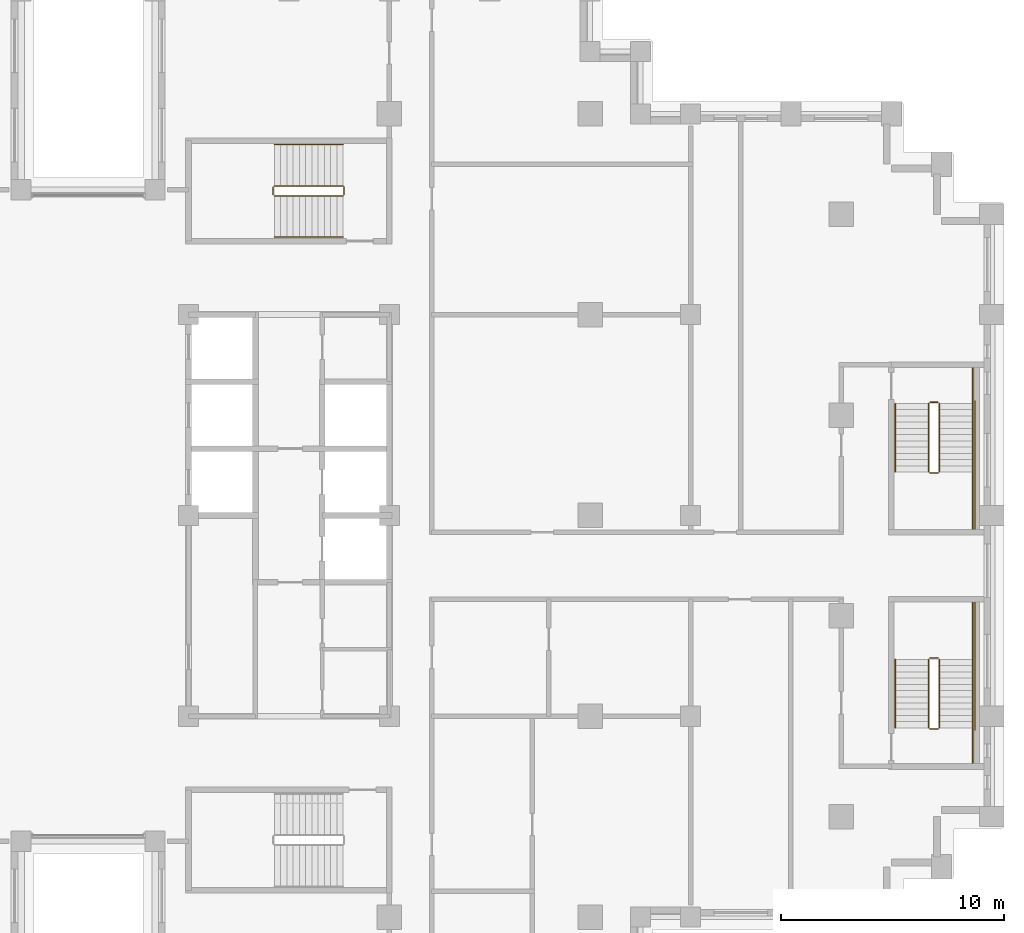
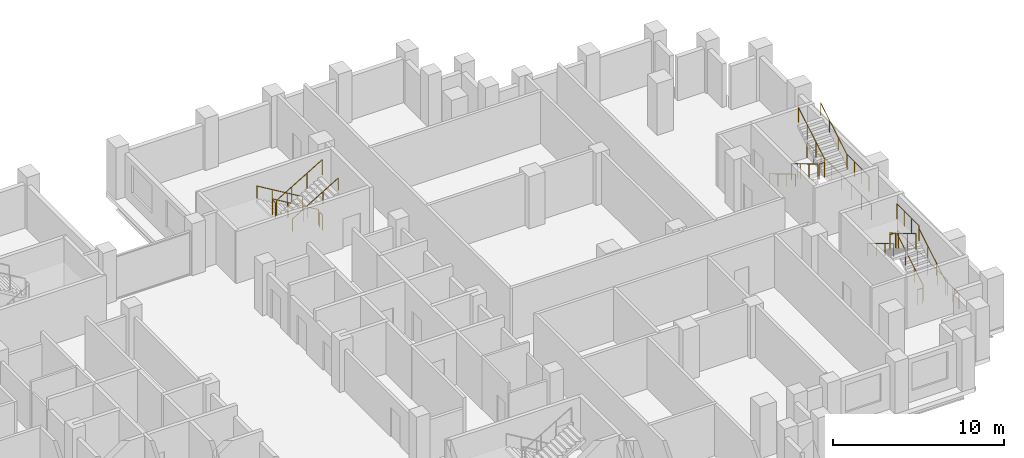
# One storey, part 15 of 15: 3 railings.
"""IFC4 building model written with IfcOpenShell, lengths in metres."""

from ifc_helpers import new_model, si_unit, direction, frame, origin, origin_2d, place, context, subcontext, project, spatial, circle, extrude, material, type_object, element, save


model = new_model("IFC4")

# Units and contexts
model_context = context("Model", 3, precision=1e-05, world=origin(), true_north=direction((0.0, 1.0)))
body_context = subcontext(model_context, "Body", "Model", "MODEL_VIEW")
ifc_project = project(units=[si_unit("LENGTHUNIT", "METRE"), si_unit("AREAUNIT", "SQUARE_METRE"), si_unit("VOLUMEUNIT", "CUBIC_METRE"), si_unit("PLANEANGLEUNIT", "RADIAN"), si_unit("MASSUNIT", "GRAM", prefix="KILO")], contexts=[model_context])

# Site, building, storey
site_placement = place(None, origin())
site = spatial("IfcSite", under=ifc_project, at=site_placement, CompositionType="ELEMENT")
building_placement = place(site_placement, origin())
building = spatial("IfcBuilding", under=site, at=building_placement, Name="Corbelhall Arena Tower", CompositionType="ELEMENT")
storey_placement = place(building_placement, frame((0.0, 0.0, 146.0)))
storey = spatial("IfcBuildingStorey", under=building, at=storey_placement, Name="L28", CompositionType="ELEMENT", Elevation=146.0)

# Railings
ifc_material = material(Name="Steel ASTM A500 Gr C", Category="steel")
railing_type = type_object("IfcRailingType", Name="IN-GD-1100", PredefinedType="GUARDRAIL", material=ifc_material)
railing_1_placement = place(storey_placement, frame((11.425048828125, 14.77490234375, 0.166748046875)))
element("IfcRailing", 1, at=railing_1_placement, inside=storey, type_object=railing_type, Name="L28 ST3 stair guards and handrails", PredefinedType="GUARDRAIL", context=body_context, shape_type="SweptSolid", body=[
    extrude(circle(Radius=0.02392578125, at=origin_2d()), frame((0.0, 0.0, 1.076171875), z_axis=(-0.859308565015, 0.0, 0.511457515432), x_axis=(0.0, -1.0, 0.0)), (0.0, 0.0, 1.0), 3.58447265625),
    extrude(circle(Radius=0.02392578125, at=origin_2d()), frame((-3.130126953125, -0.0498046875, 2.9091796875), z_axis=(0.0, -1.0, 0.0), x_axis=(1.0, 0.0, 0.0)), (0.0, 0.0, 1.0), 0.35009765625),
    extrude(circle(Radius=0.02392578125, at=origin_2d()), frame((-3.080078125, -0.449951171875, 3.076171875), z_axis=(0.859308565015, 0.0, 0.511457515432), x_axis=(0.0, 1.0, 0.0)), (0.0, 0.0, 1.0), 3.58447265625),
    extrude(circle(Radius=0.02392578125, at=origin_2d()), frame((0.050048828125, -0.0498046875, 0.9091796875), z_axis=(0.0, -1.0, 0.0), x_axis=(1.0, 0.0, 0.0)), (0.0, 0.0, 1.0), 0.35009765625),
    extrude(circle(Radius=0.02392578125, at=origin_2d()), frame((0.0, 1.85009765625, 0.8759765625), z_axis=(-0.859308565015, 0.0, 0.511457515432), x_axis=(0.0, -1.0, 0.0)), (0.0, 0.0, 1.0), 3.58447265625),
    extrude(circle(Radius=0.02392578125, at=origin_2d()), frame((-3.080078125, -2.2998046875, 2.8759765625), z_axis=(0.859308565015, 0.0, 0.511457515432), x_axis=(0.0, 1.0, 0.0)), (0.0, 0.0, 1.0), 3.58447265625),
    extrude(circle(Radius=0.02099609375, at=origin_2d()), origin(), (0.0, 0.0, 1.0), 1.052001953125),
    extrude(circle(Radius=0.02099609375, at=origin_2d()), frame((-1.026611328125, 0.0, 0.611083984375)), (0.0, 0.0, 1.0), 1.052001953125),
    extrude(circle(Radius=0.02099609375, at=origin_2d()), frame((-2.053466796875, 0.0, 1.22216796875)), (0.0, 0.0, 1.0), 1.052001953125),
    extrude(circle(Radius=0.02099609375, at=origin_2d()), frame((-3.080078125, 0.0, 1.833251953125)), (0.0, 0.0, 1.0), 1.052001953125),
    extrude(circle(Radius=0.02099609375, at=origin_2d()), frame((-3.130126953125, -0.0498046875, 1.833251953125)), (0.0, 0.0, 1.0), 1.052001953125),
    extrude(circle(Radius=0.02099609375, at=origin_2d()), frame((-3.130126953125, -0.39990234375, 1.833251953125)), (0.0, 0.0, 1.0), 1.052001953125),
    extrude(circle(Radius=0.02099609375, at=origin_2d()), frame((-3.080078125, -0.449951171875, 2.0)), (0.0, 0.0, 1.0), 1.052001953125),
    extrude(circle(Radius=0.02099609375, at=origin_2d()), frame((-2.053466796875, -0.449951171875, 2.611083984375)), (0.0, 0.0, 1.0), 1.052001953125),
    extrude(circle(Radius=0.02099609375, at=origin_2d()), frame((-1.026611328125, -0.449951171875, 3.22216796875)), (0.0, 0.0, 1.0), 1.052001953125),
    extrude(circle(Radius=0.02099609375, at=origin_2d()), frame((0.0, -0.449951171875, 3.833251953125)), (0.0, 0.0, 1.0), 1.052001953125),
    extrude(circle(Radius=0.02099609375, at=origin_2d()), frame((0.050048828125, -0.0498046875, -0.166748046875)), (0.0, 0.0, 1.0), 1.052001953125),
    extrude(circle(Radius=0.02099609375, at=origin_2d()), frame((0.050048828125, -0.39990234375, -0.166748046875)), (0.0, 0.0, 1.0), 1.052001953125),
    extrude(circle(Radius=0.02099609375, at=origin_2d()), frame((0.0, 1.85009765625, 0.0)), (0.0, 0.0, 1.0), 0.851806640625),
    extrude(circle(Radius=0.02099609375, at=origin_2d()), frame((-1.026611328125, 1.85009765625, 0.611083984375)), (0.0, 0.0, 1.0), 0.851806640625),
    extrude(circle(Radius=0.02099609375, at=origin_2d()), frame((-2.053466796875, 1.85009765625, 1.22216796875)), (0.0, 0.0, 1.0), 0.851806640625),
    extrude(circle(Radius=0.02099609375, at=origin_2d()), frame((-3.080078125, 1.85009765625, 1.833251953125)), (0.0, 0.0, 1.0), 0.851806640625),
    extrude(circle(Radius=0.02099609375, at=origin_2d()), frame((-3.080078125, -2.2998046875, 2.0)), (0.0, 0.0, 1.0), 0.851806640625),
    extrude(circle(Radius=0.02099609375, at=origin_2d()), frame((-2.053466796875, -2.2998046875, 2.611083984375)), (0.0, 0.0, 1.0), 0.851806640625),
    extrude(circle(Radius=0.02099609375, at=origin_2d()), frame((-1.026611328125, -2.2998046875, 3.22216796875)), (0.0, 0.0, 1.0), 0.851806640625),
    extrude(circle(Radius=0.02099609375, at=origin_2d()), frame((0.0, -2.2998046875, 3.833251953125)), (0.0, 0.0, 1.0), 0.851806640625),
])
railing_2_placement = place(storey_placement, frame((38.14990234375, -9.52490234375, 0.166748046875)))
element("IfcRailing", 2, at=railing_2_placement, inside=storey, type_object=railing_type, Name="L28 SD1 stair guards and handrails", PredefinedType="GUARDRAIL", context=body_context, shape_type="SweptSolid", body=[
    extrude(circle(Radius=0.02392578125, at=origin_2d()), frame((0.0, 0.0, 1.076171875), z_axis=(0.0, 0.859290745958, 0.51148745235), x_axis=(-1.0, 0.0, 0.0)), (0.0, 0.0, 1.0), 3.584228515625),
    extrude(circle(Radius=0.02392578125, at=origin_2d()), frame((-0.0498046875, 3.1298828125, 2.9091796875), z_axis=(-1.0, 0.0, 0.0), x_axis=(0.0, -1.0, 0.0)), (0.0, 0.0, 1.0), 0.375),
    extrude(circle(Radius=0.02392578125, at=origin_2d()), frame((1.5, 3.079833984375, 2.9091796875), z_axis=(0.0, 1.0, 0.0), x_axis=(-1.0, 0.0, 0.0)), (0.0, 0.0, 1.0), 2.570068359375),
    extrude(circle(Radius=0.02392578125, at=origin_2d()), frame((-0.474853515625, 3.079833984375, 3.076171875), z_axis=(0.0, -0.859290745958, 0.51148745235), x_axis=(1.0, 0.0, 0.0)), (0.0, 0.0, 1.0), 3.584228515625),
    extrude(circle(Radius=0.02392578125, at=origin_2d()), frame((-0.0498046875, -0.050048828125, 0.9091796875), z_axis=(-1.0, 0.0, 0.0), x_axis=(0.0, -1.0, 0.0)), (0.0, 0.0, 1.0), 0.375),
    extrude(circle(Radius=0.02392578125, at=origin_2d()), frame((1.5, -1.60009765625, 0.9091796875), z_axis=(0.0, 1.0, 0.0), x_axis=(-1.0, 0.0, 0.0)), (0.0, 0.0, 1.0), 1.60009765625),
    extrude(circle(Radius=0.02392578125, at=origin_2d()), frame((1.60009765625, -0.10009765625, 0.9091796875), z_axis=(0.0, 1.0, 0.0), x_axis=(-1.0, 0.0, 0.0)), (0.0, 0.0, 1.0), 5.85009765625),
    extrude(circle(Radius=0.02392578125, at=origin_2d()), frame((1.5, 0.0, 0.8759765625), z_axis=(0.0, 0.859290745958, 0.51148745235), x_axis=(-1.0, 0.0, 0.0)), (0.0, 0.0, 1.0), 3.584228515625),
    extrude(circle(Radius=0.02392578125, at=origin_2d()), frame((-1.974853515625, 3.079833984375, 2.8759765625), z_axis=(0.0, -0.859290745958, 0.51148745235), x_axis=(1.0, 0.0, 0.0)), (0.0, 0.0, 1.0), 3.584228515625),
    extrude(circle(Radius=0.02099609375, at=origin_2d()), origin(), (0.0, 0.0, 1.0), 1.052001953125),
    extrude(circle(Radius=0.02099609375, at=origin_2d()), frame((0.0, 1.026611328125, 0.611083984375)), (0.0, 0.0, 1.0), 1.052001953125),
    extrude(circle(Radius=0.02099609375, at=origin_2d()), frame((0.0, 2.05322265625, 1.22216796875)), (0.0, 0.0, 1.0), 1.052001953125),
    extrude(circle(Radius=0.02099609375, at=origin_2d()), frame((0.0, 3.079833984375, 1.833251953125)), (0.0, 0.0, 1.0), 1.052001953125),
    extrude(circle(Radius=0.02099609375, at=origin_2d()), frame((-0.0498046875, 3.1298828125, 1.833251953125)), (0.0, 0.0, 1.0), 1.052001953125),
    extrude(circle(Radius=0.02099609375, at=origin_2d()), frame((-0.4248046875, 3.1298828125, 1.833251953125)), (0.0, 0.0, 1.0), 1.052001953125),
    extrude(circle(Radius=0.02099609375, at=origin_2d()), frame((1.5, 3.079833984375, 1.833251953125)), (0.0, 0.0, 1.0), 1.052001953125),
    extrude(circle(Radius=0.02099609375, at=origin_2d()), frame((1.5, 3.9365234375, 1.833251953125)), (0.0, 0.0, 1.0), 1.052001953125),
    extrude(circle(Radius=0.02099609375, at=origin_2d()), frame((1.5, 4.793212890625, 1.833251953125)), (0.0, 0.0, 1.0), 1.052001953125),
    extrude(circle(Radius=0.02099609375, at=origin_2d()), frame((1.5, 5.64990234375, 1.833251953125)), (0.0, 0.0, 1.0), 1.052001953125),
    extrude(circle(Radius=0.02099609375, at=origin_2d()), frame((-0.474853515625, 3.079833984375, 2.0)), (0.0, 0.0, 1.0), 1.052001953125),
    extrude(circle(Radius=0.02099609375, at=origin_2d()), frame((-0.474853515625, 2.05322265625, 2.611083984375)), (0.0, 0.0, 1.0), 1.052001953125),
    extrude(circle(Radius=0.02099609375, at=origin_2d()), frame((-0.474853515625, 1.026611328125, 3.22216796875)), (0.0, 0.0, 1.0), 1.052001953125),
    extrude(circle(Radius=0.02099609375, at=origin_2d()), frame((-0.474853515625, 0.0, 3.833251953125)), (0.0, 0.0, 1.0), 1.052001953125),
    extrude(circle(Radius=0.02099609375, at=origin_2d()), frame((-0.0498046875, -0.050048828125, -0.166748046875)), (0.0, 0.0, 1.0), 1.052001953125),
    extrude(circle(Radius=0.02099609375, at=origin_2d()), frame((-0.4248046875, -0.050048828125, -0.166748046875)), (0.0, 0.0, 1.0), 1.052001953125),
    extrude(circle(Radius=0.02099609375, at=origin_2d()), frame((1.5, -1.60009765625, -0.166748046875)), (0.0, 0.0, 1.0), 1.052001953125),
    extrude(circle(Radius=0.02099609375, at=origin_2d()), frame((1.5, -0.800048828125, -0.166748046875)), (0.0, 0.0, 1.0), 1.052001953125),
    extrude(circle(Radius=0.02099609375, at=origin_2d()), frame((1.5, 0.0, -0.166748046875)), (0.0, 0.0, 1.0), 1.052001953125),
    extrude(circle(Radius=0.02099609375, at=origin_2d()), frame((1.60009765625, -0.10009765625, -0.166748046875)), (0.0, 0.0, 1.0), 1.052001953125),
    extrude(circle(Radius=0.02099609375, at=origin_2d()), frame((1.60009765625, 1.06982421875, -0.166748046875)), (0.0, 0.0, 1.0), 1.052001953125),
    extrude(circle(Radius=0.02099609375, at=origin_2d()), frame((1.60009765625, 2.239990234375, -0.166748046875)), (0.0, 0.0, 1.0), 1.052001953125),
    extrude(circle(Radius=0.02099609375, at=origin_2d()), frame((1.60009765625, 3.409912109375, -0.166748046875)), (0.0, 0.0, 1.0), 1.052001953125),
    extrude(circle(Radius=0.02099609375, at=origin_2d()), frame((1.60009765625, 4.580078125, -0.166748046875)), (0.0, 0.0, 1.0), 1.052001953125),
    extrude(circle(Radius=0.02099609375, at=origin_2d()), frame((1.60009765625, 5.75, -0.166748046875)), (0.0, 0.0, 1.0), 1.052001953125),
    extrude(circle(Radius=0.02099609375, at=origin_2d()), frame((1.5, 0.0, 0.0)), (0.0, 0.0, 1.0), 0.851806640625),
    extrude(circle(Radius=0.02099609375, at=origin_2d()), frame((1.5, 1.026611328125, 0.611083984375)), (0.0, 0.0, 1.0), 0.851806640625),
    extrude(circle(Radius=0.02099609375, at=origin_2d()), frame((1.5, 2.05322265625, 1.22216796875)), (0.0, 0.0, 1.0), 0.851806640625),
    extrude(circle(Radius=0.02099609375, at=origin_2d()), frame((-1.974853515625, 3.079833984375, 2.0)), (0.0, 0.0, 1.0), 0.851806640625),
    extrude(circle(Radius=0.02099609375, at=origin_2d()), frame((-1.974853515625, 2.05322265625, 2.611083984375)), (0.0, 0.0, 1.0), 0.851806640625),
    extrude(circle(Radius=0.02099609375, at=origin_2d()), frame((-1.974853515625, 1.026611328125, 3.22216796875)), (0.0, 0.0, 1.0), 0.851806640625),
    extrude(circle(Radius=0.02099609375, at=origin_2d()), frame((-1.974853515625, 0.0, 3.833251953125)), (0.0, 0.0, 1.0), 0.851806640625),
])
railing_3_placement = place(storey_placement, frame((37.675048828125, 5.02490234375, 0.166748046875)))
element("IfcRailing", 3, at=railing_3_placement, inside=storey, type_object=railing_type, Name="L28 SD2 stair guards and handrails", PredefinedType="GUARDRAIL", context=body_context, shape_type="SweptSolid", body=[
    extrude(circle(Radius=0.02392578125, at=origin_2d()), frame((0.0, 0.0, 1.076171875), z_axis=(0.0, -0.859290745958, 0.51148745235), x_axis=(1.0, 0.0, 0.0)), (0.0, 0.0, 1.0), 3.584228515625),
    extrude(circle(Radius=0.02392578125, at=origin_2d()), frame((0.050048828125, -3.1298828125, 2.9091796875), z_axis=(1.0, 0.0, 0.0), x_axis=(0.0, 1.0, 0.0)), (0.0, 0.0, 1.0), 0.375),
    extrude(circle(Radius=0.02392578125, at=origin_2d()), frame((1.974853515625, -3.079833984375, 2.9091796875), z_axis=(0.0, -1.0, 0.0), x_axis=(1.0, 0.0, 0.0)), (0.0, 0.0, 1.0), 2.570068359375),
    extrude(circle(Radius=0.02392578125, at=origin_2d()), frame((0.474853515625, -3.079833984375, 3.076171875), z_axis=(0.0, 0.859290745958, 0.51148745235), x_axis=(-1.0, 0.0, 0.0)), (0.0, 0.0, 1.0), 3.584228515625),
    extrude(circle(Radius=0.02392578125, at=origin_2d()), frame((0.050048828125, 0.050048828125, 0.9091796875), z_axis=(1.0, 0.0, 0.0), x_axis=(0.0, 1.0, 0.0)), (0.0, 0.0, 1.0), 0.375),
    extrude(circle(Radius=0.02392578125, at=origin_2d()), frame((1.974853515625, 1.60009765625, 0.9091796875), z_axis=(0.0, -1.0, 0.0), x_axis=(1.0, 0.0, 0.0)), (0.0, 0.0, 1.0), 1.60009765625),
    extrude(circle(Radius=0.02392578125, at=origin_2d()), frame((2.074951171875, 0.10009765625, 0.9091796875), z_axis=(0.0, -1.0, 0.0), x_axis=(1.0, 0.0, 0.0)), (0.0, 0.0, 1.0), 5.85009765625),
    extrude(circle(Radius=0.02392578125, at=origin_2d()), frame((-1.5, 0.0, 0.8759765625), z_axis=(0.0, -0.859290745958, 0.51148745235), x_axis=(1.0, 0.0, 0.0)), (0.0, 0.0, 1.0), 3.584228515625),
    extrude(circle(Radius=0.02392578125, at=origin_2d()), frame((1.974853515625, -3.079833984375, 2.8759765625), z_axis=(0.0, 0.859290745958, 0.51148745235), x_axis=(-1.0, 0.0, 0.0)), (0.0, 0.0, 1.0), 3.584228515625),
    extrude(circle(Radius=0.02099609375, at=origin_2d()), origin(), (0.0, 0.0, 1.0), 1.052001953125),
    extrude(circle(Radius=0.02099609375, at=origin_2d()), frame((0.0, -1.026611328125, 0.611083984375)), (0.0, 0.0, 1.0), 1.052001953125),
    extrude(circle(Radius=0.02099609375, at=origin_2d()), frame((0.0, -2.05322265625, 1.22216796875)), (0.0, 0.0, 1.0), 1.052001953125),
    extrude(circle(Radius=0.02099609375, at=origin_2d()), frame((0.0, -3.079833984375, 1.833251953125)), (0.0, 0.0, 1.0), 1.052001953125),
    extrude(circle(Radius=0.02099609375, at=origin_2d()), frame((0.050048828125, -3.1298828125, 1.833251953125)), (0.0, 0.0, 1.0), 1.052001953125),
    extrude(circle(Radius=0.02099609375, at=origin_2d()), frame((0.425048828125, -3.1298828125, 1.833251953125)), (0.0, 0.0, 1.0), 1.052001953125),
    extrude(circle(Radius=0.02099609375, at=origin_2d()), frame((1.974853515625, -3.079833984375, 1.833251953125)), (0.0, 0.0, 1.0), 1.052001953125),
    extrude(circle(Radius=0.02099609375, at=origin_2d()), frame((1.974853515625, -3.9365234375, 1.833251953125)), (0.0, 0.0, 1.0), 1.052001953125),
    extrude(circle(Radius=0.02099609375, at=origin_2d()), frame((1.974853515625, -4.793212890625, 1.833251953125)), (0.0, 0.0, 1.0), 1.052001953125),
    extrude(circle(Radius=0.02099609375, at=origin_2d()), frame((1.974853515625, -5.64990234375, 1.833251953125)), (0.0, 0.0, 1.0), 1.052001953125),
    extrude(circle(Radius=0.02099609375, at=origin_2d()), frame((0.474853515625, -3.079833984375, 2.0)), (0.0, 0.0, 1.0), 1.052001953125),
    extrude(circle(Radius=0.02099609375, at=origin_2d()), frame((0.474853515625, -2.05322265625, 2.611083984375)), (0.0, 0.0, 1.0), 1.052001953125),
    extrude(circle(Radius=0.02099609375, at=origin_2d()), frame((0.474853515625, -1.026611328125, 3.22216796875)), (0.0, 0.0, 1.0), 1.052001953125),
    extrude(circle(Radius=0.02099609375, at=origin_2d()), frame((0.474853515625, 0.0, 3.833251953125)), (0.0, 0.0, 1.0), 1.052001953125),
    extrude(circle(Radius=0.02099609375, at=origin_2d()), frame((0.050048828125, 0.050048828125, -0.166748046875)), (0.0, 0.0, 1.0), 1.052001953125),
    extrude(circle(Radius=0.02099609375, at=origin_2d()), frame((0.425048828125, 0.050048828125, -0.166748046875)), (0.0, 0.0, 1.0), 1.052001953125),
    extrude(circle(Radius=0.02099609375, at=origin_2d()), frame((1.974853515625, 1.60009765625, -0.166748046875)), (0.0, 0.0, 1.0), 1.052001953125),
    extrude(circle(Radius=0.02099609375, at=origin_2d()), frame((1.974853515625, 0.800048828125, -0.166748046875)), (0.0, 0.0, 1.0), 1.052001953125),
    extrude(circle(Radius=0.02099609375, at=origin_2d()), frame((1.974853515625, 0.0, -0.166748046875)), (0.0, 0.0, 1.0), 1.052001953125),
    extrude(circle(Radius=0.02099609375, at=origin_2d()), frame((2.074951171875, 0.10009765625, -0.166748046875)), (0.0, 0.0, 1.0), 1.052001953125),
    extrude(circle(Radius=0.02099609375, at=origin_2d()), frame((2.074951171875, -1.06982421875, -0.166748046875)), (0.0, 0.0, 1.0), 1.052001953125),
    extrude(circle(Radius=0.02099609375, at=origin_2d()), frame((2.074951171875, -2.239990234375, -0.166748046875)), (0.0, 0.0, 1.0), 1.052001953125),
    extrude(circle(Radius=0.02099609375, at=origin_2d()), frame((2.074951171875, -3.409912109375, -0.166748046875)), (0.0, 0.0, 1.0), 1.052001953125),
    extrude(circle(Radius=0.02099609375, at=origin_2d()), frame((2.074951171875, -4.580078125, -0.166748046875)), (0.0, 0.0, 1.0), 1.052001953125),
    extrude(circle(Radius=0.02099609375, at=origin_2d()), frame((2.074951171875, -5.75, -0.166748046875)), (0.0, 0.0, 1.0), 1.052001953125),
    extrude(circle(Radius=0.02099609375, at=origin_2d()), frame((-1.5, 0.0, 0.0)), (0.0, 0.0, 1.0), 0.851806640625),
    extrude(circle(Radius=0.02099609375, at=origin_2d()), frame((-1.5, -1.026611328125, 0.611083984375)), (0.0, 0.0, 1.0), 0.851806640625),
    extrude(circle(Radius=0.02099609375, at=origin_2d()), frame((-1.5, -2.05322265625, 1.22216796875)), (0.0, 0.0, 1.0), 0.851806640625),
    extrude(circle(Radius=0.02099609375, at=origin_2d()), frame((-1.5, -3.079833984375, 1.833251953125)), (0.0, 0.0, 1.0), 0.851806640625),
    extrude(circle(Radius=0.02099609375, at=origin_2d()), frame((1.974853515625, -3.079833984375, 2.0)), (0.0, 0.0, 1.0), 0.851806640625),
    extrude(circle(Radius=0.02099609375, at=origin_2d()), frame((1.974853515625, -2.05322265625, 2.611083984375)), (0.0, 0.0, 1.0), 0.851806640625),
    extrude(circle(Radius=0.02099609375, at=origin_2d()), frame((1.974853515625, -1.026611328125, 3.22216796875)), (0.0, 0.0, 1.0), 0.851806640625),
    extrude(circle(Radius=0.02099609375, at=origin_2d()), frame((1.974853515625, 0.0, 3.833251953125)), (0.0, 0.0, 1.0), 0.851806640625),
])

save(model, "model.ifc")
